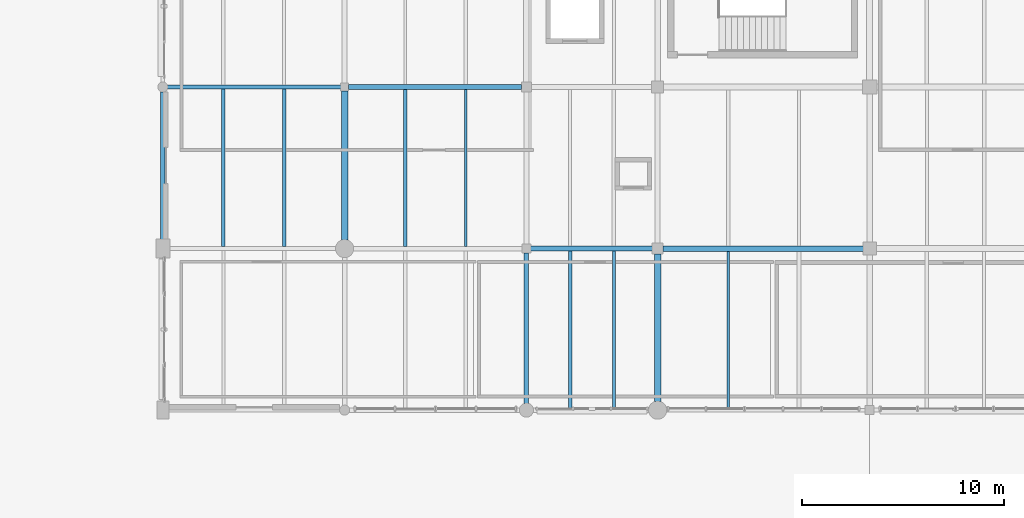
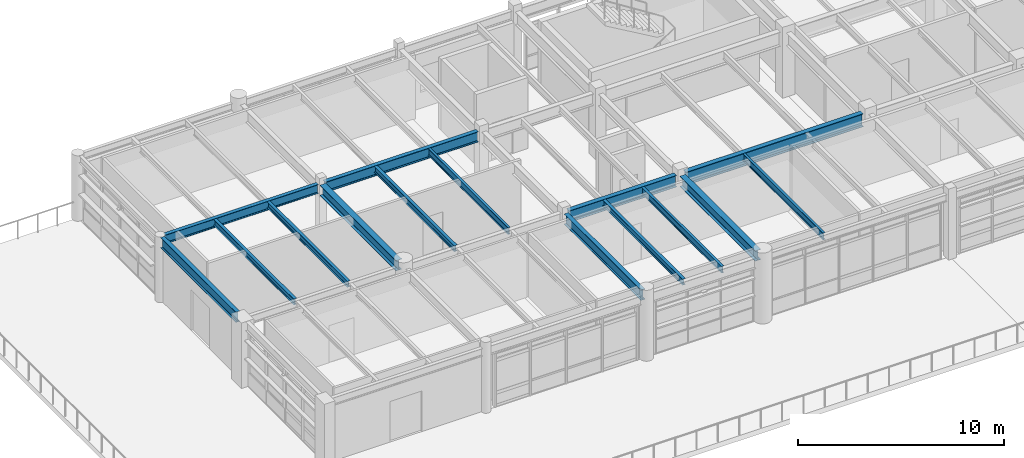
# One storey, part 10 of 56: 15 beams.
"""IFC4 building model written with IfcOpenShell, lengths in metres."""

from ifc_helpers import new_model, si_unit, direction, frame, origin, origin_2d, place, context, subcontext, project, spatial, i_section, extrude, material, material_profile, profile_set, type_object, element, save


model = new_model("IFC4")

# Units and contexts
model_context = context("Model", 3, precision=1e-05, world=origin(), true_north=direction((0.0, 1.0)))
body_context = subcontext(model_context, "Body", "Model", "MODEL_VIEW")
ifc_project = project(units=[si_unit("LENGTHUNIT", "METRE"), si_unit("AREAUNIT", "SQUARE_METRE"), si_unit("VOLUMEUNIT", "CUBIC_METRE"), si_unit("PLANEANGLEUNIT", "RADIAN"), si_unit("MASSUNIT", "GRAM", prefix="KILO"), si_unit("THERMODYNAMICTEMPERATUREUNIT", "KELVIN"), si_unit("POWERUNIT", "WATT")], contexts=[model_context])

# Site, building, storey
site_placement = place(None, origin())
site = spatial("IfcSite", under=ifc_project, at=site_placement, CompositionType="ELEMENT")
building_placement = place(site_placement, origin())
building = spatial("IfcBuilding", under=site, at=building_placement, Name="Tepalcoro Natatorium and Aquatics Centre", CompositionType="ELEMENT")
storey_placement = place(building_placement, frame((0.0, 0.0, 14.800048828125)))
storey = spatial("IfcBuildingStorey", under=building, at=storey_placement, Name="L03", CompositionType="ELEMENT", Elevation=14.800048828125)

# Beams
ifc_material = material(Name="Steel ASTM A992 Grade 50 (Fy 345 MPa)", Category="steel")
ifc_material_profile_1 = material_profile(ifc_material, i_section(OverallWidth=0.2099609375, OverallDepth=0.532958984375, WebThickness=0.010009765625, FlangeThickness=0.01611328125, FilletRadius=0.013916015625, at=origin_2d()), Name="W21X62")
ifc_profile_set_1 = profile_set([ifc_material_profile_1], Name="Steel ASTM A992 Grade 50 (Fy 345 MPa)")
beam_type_1 = type_object("IfcBeamType", Name="BM_W21x62", PredefinedType="BEAM", material=ifc_profile_set_1)
beam_1_placement = place(storey_placement, frame((107.235107421875, 110.0, 3.538330078125), z_axis=(1.0, 0.0, 0.0), x_axis=(0.0, 1.0, 0.0)))
element("IfcBeam", 1, at=beam_1_placement, inside=storey, type_object=beam_type_1, Name="V5 L03 Grid Girder X", PredefinedType="BEAM", context=body_context, shape_type="SweptSolid", body=[
    extrude(i_section(OverallWidth=0.2099609375, OverallDepth=0.532958984375, WebThickness=0.010009765625, FlangeThickness=0.01611328125, FilletRadius=0.013916015625, at=origin_2d()), origin(), (0.0, 0.0, 1.0), 8.579833984375),
])
ifc_material_profile_2 = material_profile(ifc_material, i_section(OverallWidth=0.324951171875, OverallDepth=0.616943359375, WebThickness=0.013916015625, FlangeThickness=0.02197265625, FilletRadius=0.013916015625, at=origin_2d()), Name="W24X117")
ifc_profile_set_2 = profile_set([ifc_material_profile_2], Name="Steel ASTM A992 Grade 50 (Fy 345 MPa)")
beam_type_2 = type_object("IfcBeamType", Name="BM_W24x117", PredefinedType="BEAM", material=ifc_profile_set_2)
beam_2_placement = place(storey_placement, frame((116.0, 102.43505859375, 3.496337890625), z_axis=(0.0, 1.0, 0.0), x_axis=(-1.0, 0.0, 0.0)))
element("IfcBeam", 2, at=beam_2_placement, inside=storey, type_object=beam_type_2, Name="V5 L03 Grid Girder Y", PredefinedType="BEAM", context=body_context, shape_type="SweptSolid", body=[
    extrude(i_section(OverallWidth=0.324951171875, OverallDepth=0.616943359375, WebThickness=0.013916015625, FlangeThickness=0.02197265625, FilletRadius=0.013916015625, at=origin_2d()), origin(), (0.0, 0.0, 1.0), 7.3798828125),
])
beam_3_placement = place(storey_placement, frame((131.5, 94.43505859375, 3.496337890625), z_axis=(0.0, 1.0, 0.0), x_axis=(-1.0, 0.0, 0.0)))
element("IfcBeam", 3, at=beam_3_placement, inside=storey, type_object=beam_type_2, Name="V5 L03 Grid Girder Y", PredefinedType="BEAM", context=body_context, shape_type="SweptSolid", body=[
    extrude(i_section(OverallWidth=0.324951171875, OverallDepth=0.616943359375, WebThickness=0.013916015625, FlangeThickness=0.02197265625, FilletRadius=0.013916015625, at=origin_2d()), origin(), (0.0, 0.0, 1.0), 7.304931640625),
])
ifc_material_profile_3 = material_profile(ifc_material, i_section(OverallWidth=0.22998046875, OverallDepth=0.616943359375, WebThickness=0.012939453125, FlangeThickness=0.02197265625, FilletRadius=0.013916015625, at=origin_2d()), Name="W24X94")
ifc_profile_set_3 = profile_set([ifc_material_profile_3], Name="Steel ASTM A992 Grade 50 (Fy 345 MPa)")
beam_type_3 = type_object("IfcBeamType", Name="BM_W24x94", PredefinedType="BEAM", material=ifc_profile_set_3)
beam_4_placement = place(storey_placement, frame((116.18505859375, 110.0, 3.496337890625), z_axis=(1.0, 0.0, 0.0), x_axis=(0.0, 1.0, 0.0)))
element("IfcBeam", 4, at=beam_4_placement, inside=storey, type_object=beam_type_3, Name="V5 L03 Grid Girder X", PredefinedType="BEAM", context=body_context, shape_type="SweptSolid", body=[
    extrude(i_section(OverallWidth=0.22998046875, OverallDepth=0.616943359375, WebThickness=0.012939453125, FlangeThickness=0.02197265625, FilletRadius=0.013916015625, at=origin_2d()), origin(), (0.0, 0.0, 1.0), 8.579833984375),
])
beam_5_placement = place(storey_placement, frame((125.0, 94.3349609375, 3.496337890625), z_axis=(0.0, 1.0, 0.0), x_axis=(-1.0, 0.0, 0.0)))
element("IfcBeam", 5, at=beam_5_placement, inside=storey, type_object=beam_type_3, Name="V5 L03 Grid Girder Y", PredefinedType="BEAM", context=body_context, shape_type="SweptSolid", body=[
    extrude(i_section(OverallWidth=0.22998046875, OverallDepth=0.616943359375, WebThickness=0.012939453125, FlangeThickness=0.02197265625, FilletRadius=0.013916015625, at=origin_2d()), origin(), (0.0, 0.0, 1.0), 7.455078125),
])
ifc_material_profile_4 = material_profile(ifc_material, i_section(OverallWidth=0.25390625, OverallDepth=0.68798828125, WebThickness=0.012939453125, FlangeThickness=0.02099609375, FilletRadius=0.013916015625, at=origin_2d()), Name="W27X102")
ifc_profile_set_4 = profile_set([ifc_material_profile_4], Name="Steel ASTM A992 Grade 50 (Fy 345 MPa)")
beam_type_4 = type_object("IfcBeamType", Name="BM_W27x102", PredefinedType="BEAM", material=ifc_profile_set_4)
beam_6_placement = place(storey_placement, frame((125.2099609375, 102.0, 3.4609375), z_axis=(1.0, 0.0, 0.0), x_axis=(0.0, 1.0, 0.0)))
element("IfcBeam", 6, at=beam_6_placement, inside=storey, type_object=beam_type_4, Name="V5 L03 Grid Girder X", PredefinedType="BEAM", context=body_context, shape_type="SweptSolid", body=[
    extrude(i_section(OverallWidth=0.25390625, OverallDepth=0.68798828125, WebThickness=0.012939453125, FlangeThickness=0.02099609375, FilletRadius=0.013916015625, at=origin_2d()), origin(), (0.0, 0.0, 1.0), 6.030029296875),
])
ifc_material_profile_5 = material_profile(ifc_material, i_section(OverallWidth=0.26708984375, OverallDepth=0.780029296875, WebThickness=0.01708984375, FlangeThickness=0.030029296875, FilletRadius=0.013916015625, at=origin_2d()), Name="W30X148")
ifc_profile_set_5 = profile_set([ifc_material_profile_5], Name="Steel ASTM A992 Grade 50 (Fy 345 MPa)")
beam_type_5 = type_object("IfcBeamType", Name="BM_W30x148", PredefinedType="BEAM", material=ifc_profile_set_5)
beam_7_placement = place(storey_placement, frame((131.760009765625, 102.0, 3.4150390625), z_axis=(1.0, 0.0, 0.0), x_axis=(0.0, 1.0, 0.0)))
element("IfcBeam", 7, at=beam_7_placement, inside=storey, type_object=beam_type_5, Name="V5 L03 Grid Girder X", PredefinedType="BEAM", context=body_context, shape_type="SweptSolid", body=[
    extrude(i_section(OverallWidth=0.26708984375, OverallDepth=0.780029296875, WebThickness=0.01708984375, FlangeThickness=0.030029296875, FilletRadius=0.013916015625, at=origin_2d()), origin(), (0.0, 0.0, 1.0), 9.929931640625),
])
ifc_material_profile_6 = material_profile(ifc_material, i_section(OverallWidth=0.1708984375, OverallDepth=0.35107421875, WebThickness=0.007080078125, FlangeThickness=0.010009765625, FilletRadius=0.013916015625, at=origin_2d()), Name="W14X30")
ifc_profile_set_6 = profile_set([ifc_material_profile_6], Name="Steel ASTM A992 Grade 50 (Fy 345 MPa)")
beam_type_6 = type_object("IfcBeamType", Name="JS_W14x30", PredefinedType="JOIST", material=ifc_profile_set_6)
beam_8_placement = place(storey_placement, frame((110.0, 102.096435546875, 3.62939453125), z_axis=(0.0, 1.0, 0.0), x_axis=(-1.0, 0.0, 0.0)))
element("IfcBeam", 8, at=beam_8_placement, inside=storey, type_object=beam_type_6, Name="V5 L03 Floor Joist", PredefinedType="JOIST", context=body_context, shape_type="SweptSolid", body=[
    extrude(i_section(OverallWidth=0.1708984375, OverallDepth=0.35107421875, WebThickness=0.007080078125, FlangeThickness=0.010009765625, FilletRadius=0.013916015625, at=origin_2d()), origin(), (0.0, 0.0, 1.0), 7.798583984375),
])
ifc_material_profile_7 = material_profile(ifc_material, i_section(OverallWidth=0.172119140625, OverallDepth=0.35791015625, WebThickness=0.008056640625, FlangeThickness=0.012939453125, FilletRadius=0.013916015625, at=origin_2d()), Name="W14X38")
ifc_profile_set_7 = profile_set([ifc_material_profile_7], Name="Steel ASTM A992 Grade 50 (Fy 345 MPa)")
beam_type_7 = type_object("IfcBeamType", Name="JS_W14x38", PredefinedType="JOIST", material=ifc_profile_set_7)
beam_9_placement = place(storey_placement, frame((113.0, 102.096435546875, 3.6259765625), z_axis=(0.0, 1.0, 0.0), x_axis=(-1.0, 0.0, 0.0)))
element("IfcBeam", 9, at=beam_9_placement, inside=storey, type_object=beam_type_7, Name="V5 L03 Floor Joist", PredefinedType="JOIST", context=body_context, shape_type="SweptSolid", body=[
    extrude(i_section(OverallWidth=0.172119140625, OverallDepth=0.35791015625, WebThickness=0.008056640625, FlangeThickness=0.012939453125, FilletRadius=0.013916015625, at=origin_2d()), origin(), (0.0, 0.0, 1.0), 7.798583984375),
])
beam_10_placement = place(storey_placement, frame((119.0, 102.114013671875, 3.6259765625), z_axis=(0.0, 1.0, 0.0), x_axis=(-1.0, 0.0, 0.0)))
element("IfcBeam", 10, at=beam_10_placement, inside=storey, type_object=beam_type_7, Name="V5 L03 Floor Joist", PredefinedType="JOIST", context=body_context, shape_type="SweptSolid", body=[
    extrude(i_section(OverallWidth=0.172119140625, OverallDepth=0.35791015625, WebThickness=0.008056640625, FlangeThickness=0.012939453125, FilletRadius=0.013916015625, at=origin_2d()), origin(), (0.0, 0.0, 1.0), 7.77099609375),
])
beam_11_placement = place(storey_placement, frame((127.166748046875, 94.114501953125, 3.6259765625), z_axis=(0.0, 1.0, 0.0), x_axis=(-1.0, 0.0, 0.0)))
element("IfcBeam", 11, at=beam_11_placement, inside=storey, type_object=beam_type_7, Name="V5 L03 Floor Joist", PredefinedType="JOIST", context=body_context, shape_type="SweptSolid", body=[
    extrude(i_section(OverallWidth=0.172119140625, OverallDepth=0.35791015625, WebThickness=0.008056640625, FlangeThickness=0.012939453125, FilletRadius=0.013916015625, at=origin_2d()), origin(), (0.0, 0.0, 1.0), 7.758544921875),
])
ifc_material_profile_8 = material_profile(ifc_material, i_section(OverallWidth=0.139892578125, OverallDepth=0.404052734375, WebThickness=0.007080078125, FlangeThickness=0.010986328125, FilletRadius=0.013916015625, at=origin_2d()), Name="W16X31")
ifc_profile_set_8 = profile_set([ifc_material_profile_8], Name="Steel ASTM A992 Grade 50 (Fy 345 MPa)")
beam_type_8 = type_object("IfcBeamType", Name="JS_W16x31", PredefinedType="JOIST", material=ifc_profile_set_8)
beam_12_placement = place(storey_placement, frame((122.0, 102.114013671875, 3.60302734375), z_axis=(0.0, 1.0, 0.0), x_axis=(-1.0, 0.0, 0.0)))
element("IfcBeam", 12, at=beam_12_placement, inside=storey, type_object=beam_type_8, Name="V5 L03 Floor Joist", PredefinedType="JOIST", context=body_context, shape_type="SweptSolid", body=[
    extrude(i_section(OverallWidth=0.139892578125, OverallDepth=0.404052734375, WebThickness=0.007080078125, FlangeThickness=0.010986328125, FilletRadius=0.013916015625, at=origin_2d()), origin(), (0.0, 0.0, 1.0), 7.77099609375),
])
beam_13_placement = place(storey_placement, frame((129.333251953125, 94.114501953125, 3.60302734375), z_axis=(0.0, 1.0, 0.0), x_axis=(-1.0, 0.0, 0.0)))
element("IfcBeam", 13, at=beam_13_placement, inside=storey, type_object=beam_type_8, Name="V5 L03 Floor Joist", PredefinedType="JOIST", context=body_context, shape_type="SweptSolid", body=[
    extrude(i_section(OverallWidth=0.139892578125, OverallDepth=0.404052734375, WebThickness=0.007080078125, FlangeThickness=0.010986328125, FilletRadius=0.013916015625, at=origin_2d()), origin(), (0.0, 0.0, 1.0), 7.758544921875),
])
beam_14_placement = place(storey_placement, frame((135.0, 94.090087890625, 3.60302734375), z_axis=(0.0, 1.0, 0.0), x_axis=(-1.0, 0.0, 0.0)))
element("IfcBeam", 14, at=beam_14_placement, inside=storey, type_object=beam_type_8, Name="V5 L03 Floor Joist", PredefinedType="JOIST", context=body_context, shape_type="SweptSolid", body=[
    extrude(i_section(OverallWidth=0.139892578125, OverallDepth=0.404052734375, WebThickness=0.007080078125, FlangeThickness=0.010986328125, FilletRadius=0.013916015625, at=origin_2d()), origin(), (0.0, 0.0, 1.0), 7.7763671875),
])
ifc_material_profile_9 = material_profile(ifc_material, i_section(OverallWidth=0.22900390625, OverallDepth=0.612060546875, WebThickness=0.011962890625, FlangeThickness=0.02001953125, FilletRadius=0.013916015625, at=origin_2d()), Name="W24X84")
ifc_profile_set_9 = profile_set([ifc_material_profile_9], Name="Steel ASTM A992 Grade 50 (Fy 345 MPa)")
beam_type_9 = type_object("IfcBeamType", Name="SP_W24x84", PredefinedType="SPANDREL", material=ifc_profile_set_9)
beam_15_placement = place(storey_placement, frame((107.0, 102.4599609375, 3.558837890625), z_axis=(0.0, 1.0, 0.0), x_axis=(-1.0, 0.0, 0.0)))
element("IfcBeam", 15, at=beam_15_placement, inside=storey, type_object=beam_type_9, Name="V5 L03 Grid Girder Y", PredefinedType="SPANDREL", context=body_context, shape_type="SweptSolid", body=[
    extrude(i_section(OverallWidth=0.22900390625, OverallDepth=0.612060546875, WebThickness=0.011962890625, FlangeThickness=0.02001953125, FilletRadius=0.013916015625, at=origin_2d()), origin(), (0.0, 0.0, 1.0), 7.304931640625),
])

save(model, "model.ifc")
